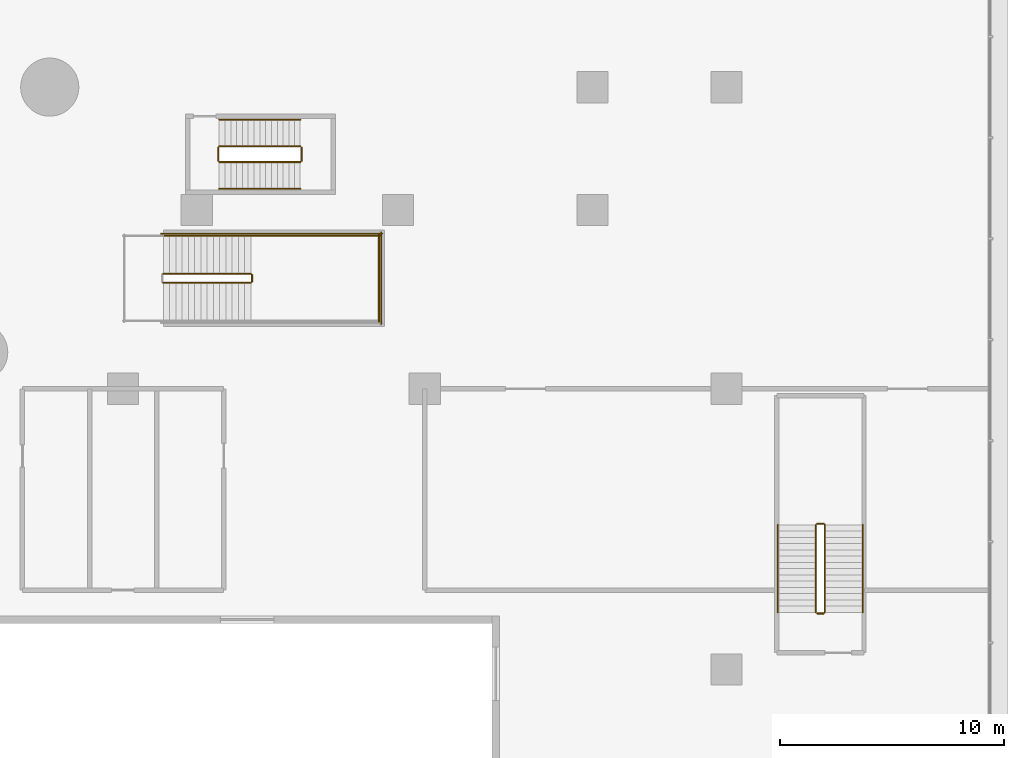
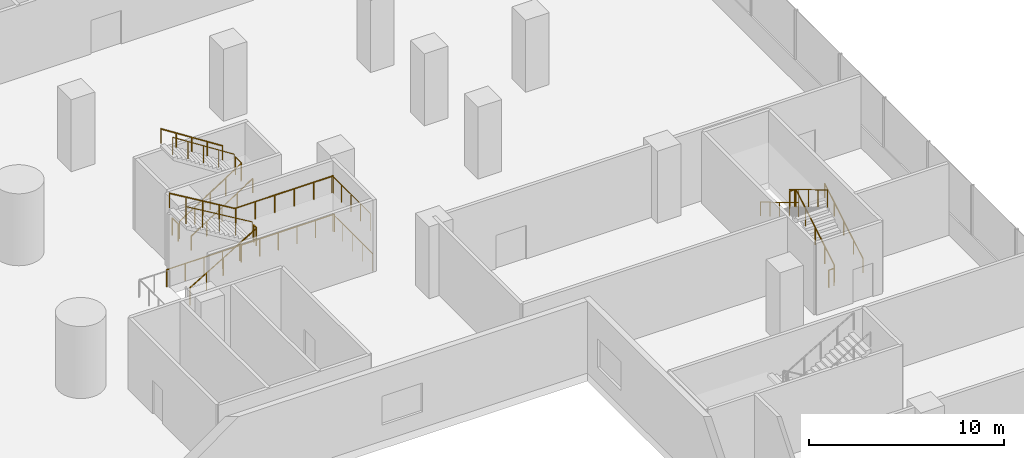
# One storey, part 40 of 44: 20 railings.
"""IFC4 building model written with IfcOpenShell, lengths in metres."""

from ifc_helpers import new_model, si_unit, direction, frame, origin, origin_2d, place, context, subcontext, project, spatial, circle, extrude, material, type_object, element, save


model = new_model("IFC4")

# Units and contexts
model_context = context("Model", 3, precision=1e-05, world=origin(), true_north=direction((0.0, 1.0)))
body_context = subcontext(model_context, "Body", "Model", "MODEL_VIEW")
ifc_project = project(units=[si_unit("LENGTHUNIT", "METRE"), si_unit("AREAUNIT", "SQUARE_METRE"), si_unit("VOLUMEUNIT", "CUBIC_METRE"), si_unit("PLANEANGLEUNIT", "RADIAN"), si_unit("MASSUNIT", "GRAM", prefix="KILO")], contexts=[model_context])

# Site, building, storey
site_placement = place(None, origin())
site = spatial("IfcSite", under=ifc_project, at=site_placement, CompositionType="ELEMENT")
building_placement = place(site_placement, origin())
building = spatial("IfcBuilding", under=site, at=building_placement, Name="Tamarind Cross Interchange Tower", CompositionType="ELEMENT")
storey_placement = place(building_placement, frame((0.0, 0.0, 15.0)))
storey = spatial("IfcBuildingStorey", under=building, at=storey_placement, Name="L02", CompositionType="ELEMENT", Elevation=15.0)

# Railings
ifc_material_1 = material(Name="Public stair guard")
railing_type_1 = type_object("IfcRailingType", Name="Public stair guard", PredefinedType="GUARDRAIL", material=ifc_material_1)
railing_1_placement = place(storey_placement, frame((28.800048828125, -8.75, 0.166748046875)))
element("IfcRailing", 1, at=railing_1_placement, inside=storey, type_object=railing_type_1, Name="L02 PS-E stair guard 1", PredefinedType="GUARDRAIL", context=body_context, shape_type="SweptSolid", body=[
    extrude(circle(Radius=0.02392578125, at=origin_2d()), frame((0.0, 0.0, 1.076171875), z_axis=(0.859296244711, 0.0, 0.511478214419), x_axis=(0.0, 1.0, 0.0)), (0.0, 0.0, 1.0), 4.561767578125),
    extrude(circle(Radius=0.02099609375, at=origin_2d()), origin(), (0.0, 0.0, 1.0), 1.052001953125),
    extrude(circle(Radius=0.02099609375, at=origin_2d()), frame((0.97998046875, 0.0, 0.583251953125)), (0.0, 0.0, 1.0), 1.052001953125),
    extrude(circle(Radius=0.02099609375, at=origin_2d()), frame((1.9599609375, 0.0, 1.16650390625)), (0.0, 0.0, 1.0), 1.052001953125),
    extrude(circle(Radius=0.02099609375, at=origin_2d()), frame((2.93994140625, 0.0, 1.75)), (0.0, 0.0, 1.0), 1.052001953125),
    extrude(circle(Radius=0.02099609375, at=origin_2d()), frame((3.919921875, 0.0, 2.333251953125)), (0.0, 0.0, 1.0), 1.052001953125),
])
railing_2_placement = place(storey_placement, frame((32.77001953125, -8.699951171875, 2.5)))
element("IfcRailing", 2, at=railing_2_placement, inside=storey, type_object=railing_type_1, Name="L02 PS-E stair guard 2", PredefinedType="GUARDRAIL", context=body_context, shape_type="SweptSolid", body=[
    extrude(circle(Radius=0.02392578125, at=origin_2d()), frame((0.0, 0.0, 1.076171875), z_axis=(0.0, 1.0, 0.0), x_axis=(-1.0, 0.0, 0.0)), (0.0, 0.0, 1.0), 0.300048828125),
    extrude(circle(Radius=0.02099609375, at=origin_2d()), origin(), (0.0, 0.0, 1.0), 1.052001953125),
    extrude(circle(Radius=0.02099609375, at=origin_2d()), frame((0.0, 0.300048828125, 0.0)), (0.0, 0.0, 1.0), 1.052001953125),
])
railing_3_placement = place(storey_placement, frame((32.719970703125, -6.64990234375, 2.5)))
element("IfcRailing", 3, at=railing_3_placement, inside=storey, type_object=railing_type_1, Name="L02 PS-E stair guard 4", PredefinedType="GUARDRAIL", context=body_context, shape_type="SweptSolid", body=[
    extrude(circle(Radius=0.02392578125, at=origin_2d()), frame((0.0, 0.0, 1.076171875), z_axis=(1.0, 0.0, 0.0), x_axis=(0.0, 1.0, 0.0)), (0.0, 0.0, 1.0), 5.780029296875),
    extrude(circle(Radius=0.02099609375, at=origin_2d()), origin(), (0.0, 0.0, 1.0), 1.052001953125),
    extrude(circle(Radius=0.02099609375, at=origin_2d()), frame((1.156005859375, 0.0, 0.0)), (0.0, 0.0, 1.0), 1.052001953125),
    extrude(circle(Radius=0.02099609375, at=origin_2d()), frame((2.31201171875, 0.0, 0.0)), (0.0, 0.0, 1.0), 1.052001953125),
    extrude(circle(Radius=0.02099609375, at=origin_2d()), frame((3.468017578125, 0.0, 0.0)), (0.0, 0.0, 1.0), 1.052001953125),
    extrude(circle(Radius=0.02099609375, at=origin_2d()), frame((4.6240234375, 0.0, 0.0)), (0.0, 0.0, 1.0), 1.052001953125),
    extrude(circle(Radius=0.02099609375, at=origin_2d()), frame((5.780029296875, 0.0, 0.0)), (0.0, 0.0, 1.0), 1.052001953125),
])
railing_4_placement = place(storey_placement, frame((38.449951171875, -10.5, 2.5)))
element("IfcRailing", 4, at=railing_4_placement, inside=storey, type_object=railing_type_1, Name="L02 PS-E stair guard 5", PredefinedType="GUARDRAIL", context=body_context, shape_type="SweptSolid", body=[
    extrude(circle(Radius=0.02392578125, at=origin_2d()), frame((0.0, 0.0, 1.076171875), z_axis=(0.0, 1.0, 0.0), x_axis=(-1.0, 0.0, 0.0)), (0.0, 0.0, 1.0), 3.89990234375),
    extrude(circle(Radius=0.02099609375, at=origin_2d()), origin(), (0.0, 0.0, 1.0), 1.052001953125),
    extrude(circle(Radius=0.02099609375, at=origin_2d()), frame((0.0, 0.97509765625, 0.0)), (0.0, 0.0, 1.0), 1.052001953125),
    extrude(circle(Radius=0.02099609375, at=origin_2d()), frame((0.0, 1.949951171875, 0.0)), (0.0, 0.0, 1.0), 1.052001953125),
    extrude(circle(Radius=0.02099609375, at=origin_2d()), frame((0.0, 2.9248046875, 0.0)), (0.0, 0.0, 1.0), 1.052001953125),
    extrude(circle(Radius=0.02099609375, at=origin_2d()), frame((0.0, 3.89990234375, 0.0)), (0.0, 0.0, 1.0), 1.052001953125),
])
railing_5_placement = place(storey_placement, frame((32.719970703125, -8.35009765625, 2.666748046875)))
element("IfcRailing", 5, at=railing_5_placement, inside=storey, type_object=railing_type_1, Name="L02 PS-E stair guard 6", PredefinedType="GUARDRAIL", context=body_context, shape_type="SweptSolid", body=[
    extrude(circle(Radius=0.02392578125, at=origin_2d()), frame((0.0, 0.0, 1.076171875), z_axis=(-0.859296244711, 0.0, 0.511478214419), x_axis=(0.0, -1.0, 0.0)), (0.0, 0.0, 1.0), 4.561767578125),
    extrude(circle(Radius=0.02099609375, at=origin_2d()), origin(), (0.0, 0.0, 1.0), 1.052001953125),
    extrude(circle(Radius=0.02099609375, at=origin_2d()), frame((-0.97998046875, 0.0, 0.583251953125)), (0.0, 0.0, 1.0), 1.052001953125),
    extrude(circle(Radius=0.02099609375, at=origin_2d()), frame((-1.9599609375, 0.0, 1.16650390625)), (0.0, 0.0, 1.0), 1.052001953125),
    extrude(circle(Radius=0.02099609375, at=origin_2d()), frame((-2.93994140625, 0.0, 1.75)), (0.0, 0.0, 1.0), 1.052001953125),
    extrude(circle(Radius=0.02099609375, at=origin_2d()), frame((-3.919921875, 0.0, 2.333251953125)), (0.0, 0.0, 1.0), 1.052001953125),
])
railing_6_placement = place(storey_placement, frame((28.699951171875, -6.550048828125, 0.0)))
element("IfcRailing", 6, at=railing_6_placement, inside=storey, type_object=railing_type_1, Name="L02 PS-E stair guard 12", PredefinedType="GUARDRAIL", context=body_context, shape_type="SweptSolid", body=[
    extrude(circle(Radius=0.02392578125, at=origin_2d()), frame((0.0, 0.0, 1.076171875), z_axis=(1.0, 0.0, 0.0), x_axis=(0.0, 1.0, 0.0)), (0.0, 0.0, 1.0), 9.900146484375),
    extrude(circle(Radius=0.02099609375, at=origin_2d()), origin(), (0.0, 0.0, 1.0), 1.052001953125),
    extrude(circle(Radius=0.02099609375, at=origin_2d()), frame((1.10009765625, 0.0, 0.0)), (0.0, 0.0, 1.0), 1.052001953125),
    extrude(circle(Radius=0.02099609375, at=origin_2d()), frame((2.199951171875, 0.0, 0.0)), (0.0, 0.0, 1.0), 1.052001953125),
    extrude(circle(Radius=0.02099609375, at=origin_2d()), frame((3.300048828125, 0.0, 0.0)), (0.0, 0.0, 1.0), 1.052001953125),
    extrude(circle(Radius=0.02099609375, at=origin_2d()), frame((4.400146484375, 0.0, 0.0)), (0.0, 0.0, 1.0), 1.052001953125),
    extrude(circle(Radius=0.02099609375, at=origin_2d()), frame((5.5, 0.0, 0.0)), (0.0, 0.0, 1.0), 1.052001953125),
    extrude(circle(Radius=0.02099609375, at=origin_2d()), frame((6.60009765625, 0.0, 0.0)), (0.0, 0.0, 1.0), 1.052001953125),
    extrude(circle(Radius=0.02099609375, at=origin_2d()), frame((7.7001953125, 0.0, 0.0)), (0.0, 0.0, 1.0), 1.052001953125),
    extrude(circle(Radius=0.02099609375, at=origin_2d()), frame((8.800048828125, 0.0, 0.0)), (0.0, 0.0, 1.0), 1.052001953125),
    extrude(circle(Radius=0.02099609375, at=origin_2d()), frame((9.900146484375, 0.0, 0.0)), (0.0, 0.0, 1.0), 1.052001953125),
])
railing_7_placement = place(storey_placement, frame((38.550048828125, -10.60009765625, 0.0)))
element("IfcRailing", 7, at=railing_7_placement, inside=storey, type_object=railing_type_1, Name="L02 PS-E stair guard 13", PredefinedType="GUARDRAIL", context=body_context, shape_type="SweptSolid", body=[
    extrude(circle(Radius=0.02392578125, at=origin_2d()), frame((0.0, 0.0, 1.076171875), z_axis=(0.0, 1.0, 0.0), x_axis=(-1.0, 0.0, 0.0)), (0.0, 0.0, 1.0), 4.10009765625),
    extrude(circle(Radius=0.02099609375, at=origin_2d()), origin(), (0.0, 0.0, 1.0), 1.052001953125),
    extrude(circle(Radius=0.02099609375, at=origin_2d()), frame((0.0, 1.02490234375, 0.0)), (0.0, 0.0, 1.0), 1.052001953125),
    extrude(circle(Radius=0.02099609375, at=origin_2d()), frame((0.0, 2.050048828125, 0.0)), (0.0, 0.0, 1.0), 1.052001953125),
    extrude(circle(Radius=0.02099609375, at=origin_2d()), frame((0.0, 3.0751953125, 0.0)), (0.0, 0.0, 1.0), 1.052001953125),
    extrude(circle(Radius=0.02099609375, at=origin_2d()), frame((0.0, 4.10009765625, 0.0)), (0.0, 0.0, 1.0), 1.052001953125),
])
railing_8_placement = place(storey_placement, frame((58.39990234375, -23.5, 0.166748046875)))
element("IfcRailing", 8, at=railing_8_placement, inside=storey, type_object=railing_type_1, Name="L02 XS-P11 stair guard 1", PredefinedType="GUARDRAIL", context=body_context, shape_type="SweptSolid", body=[
    extrude(circle(Radius=0.02392578125, at=origin_2d()), frame((0.0, 0.0, 1.076171875), z_axis=(0.0, 0.859296244711, 0.511478214419), x_axis=(-1.0, 0.0, 0.0)), (0.0, 0.0, 1.0), 4.561767578125),
    extrude(circle(Radius=0.02099609375, at=origin_2d()), origin(), (0.0, 0.0, 1.0), 1.052001953125),
    extrude(circle(Radius=0.02099609375, at=origin_2d()), frame((0.0, 0.97998046875, 0.583251953125)), (0.0, 0.0, 1.0), 1.052001953125),
    extrude(circle(Radius=0.02099609375, at=origin_2d()), frame((0.0, 1.9599609375, 1.16650390625)), (0.0, 0.0, 1.0), 1.052001953125),
    extrude(circle(Radius=0.02099609375, at=origin_2d()), frame((0.0, 2.93994140625, 1.75)), (0.0, 0.0, 1.0), 1.052001953125),
    extrude(circle(Radius=0.02099609375, at=origin_2d()), frame((0.0, 3.919921875, 2.333251953125)), (0.0, 0.0, 1.0), 1.052001953125),
])
railing_9_placement = place(storey_placement, frame((58.35009765625, -19.530029296875, 2.5)))
element("IfcRailing", 9, at=railing_9_placement, inside=storey, type_object=railing_type_1, Name="L02 XS-P11 stair guard 2", PredefinedType="GUARDRAIL", context=body_context, shape_type="SweptSolid", body=[
    extrude(circle(Radius=0.02392578125, at=origin_2d()), frame((0.0, 0.0, 1.076171875), z_axis=(-1.0, 0.0, 0.0), x_axis=(0.0, -1.0, 0.0)), (0.0, 0.0, 1.0), 0.300048828125),
    extrude(circle(Radius=0.02099609375, at=origin_2d()), origin(), (0.0, 0.0, 1.0), 1.052001953125),
    extrude(circle(Radius=0.02099609375, at=origin_2d()), frame((-0.300048828125, 0.0, 0.0)), (0.0, 0.0, 1.0), 1.052001953125),
])
railing_10_placement = place(storey_placement, frame((58.0, -19.580078125, 2.666748046875)))
element("IfcRailing", 10, at=railing_10_placement, inside=storey, type_object=railing_type_1, Name="L02 XS-P11 stair guard 3", PredefinedType="GUARDRAIL", context=body_context, shape_type="SweptSolid", body=[
    extrude(circle(Radius=0.02392578125, at=origin_2d()), frame((0.0, 0.0, 1.076171875), z_axis=(0.0, -0.859296244711, 0.511478214419), x_axis=(1.0, 0.0, 0.0)), (0.0, 0.0, 1.0), 4.561767578125),
    extrude(circle(Radius=0.02099609375, at=origin_2d()), origin(), (0.0, 0.0, 1.0), 1.052001953125),
    extrude(circle(Radius=0.02099609375, at=origin_2d()), frame((0.0, -0.97998046875, 0.583251953125)), (0.0, 0.0, 1.0), 1.052001953125),
    extrude(circle(Radius=0.02099609375, at=origin_2d()), frame((0.0, -1.9599609375, 1.16650390625)), (0.0, 0.0, 1.0), 1.052001953125),
    extrude(circle(Radius=0.02099609375, at=origin_2d()), frame((0.0, -2.93994140625, 1.75)), (0.0, 0.0, 1.0), 1.052001953125),
    extrude(circle(Radius=0.02099609375, at=origin_2d()), frame((0.0, -3.919921875, 2.333251953125)), (0.0, 0.0, 1.0), 1.052001953125),
])
railing_11_placement = place(storey_placement, frame((58.35009765625, -23.550048828125, 0.0)))
element("IfcRailing", 11, at=railing_11_placement, inside=storey, type_object=railing_type_1, Name="L02 XS-P11 stair guard 4", PredefinedType="GUARDRAIL", context=body_context, shape_type="SweptSolid", body=[
    extrude(circle(Radius=0.02392578125, at=origin_2d()), frame((0.0, 0.0, 1.076171875), z_axis=(-1.0, 0.0, 0.0), x_axis=(0.0, -1.0, 0.0)), (0.0, 0.0, 1.0), 0.300048828125),
    extrude(circle(Radius=0.02099609375, at=origin_2d()), origin(), (0.0, 0.0, 1.0), 1.052001953125),
    extrude(circle(Radius=0.02099609375, at=origin_2d()), frame((-0.300048828125, 0.0, 0.0)), (0.0, 0.0, 1.0), 1.052001953125),
])
ifc_material_2 = material(Name="Public stair handrail")
railing_type_2 = type_object("IfcRailingType", Name="Public stair handrail", PredefinedType="HANDRAIL", material=ifc_material_2)
railing_12_placement = place(storey_placement, frame((32.719970703125, -6.64990234375, 2.666748046875)))
element("IfcRailing", 12, at=railing_12_placement, inside=storey, type_object=railing_type_2, Name="L02 PS-E stair handrail 2", PredefinedType="HANDRAIL", context=body_context, shape_type="SweptSolid", body=[
    extrude(circle(Radius=0.02392578125, at=origin_2d()), frame((0.0, 0.0, 0.8759765625), z_axis=(-0.859296244711, 0.0, 0.511478214419), x_axis=(0.0, -1.0, 0.0)), (0.0, 0.0, 1.0), 4.561767578125),
    extrude(circle(Radius=0.02099609375, at=origin_2d()), origin(), (0.0, 0.0, 1.0), 0.851806640625),
    extrude(circle(Radius=0.02099609375, at=origin_2d()), frame((-0.97998046875, 0.0, 0.583251953125)), (0.0, 0.0, 1.0), 0.851806640625),
    extrude(circle(Radius=0.02099609375, at=origin_2d()), frame((-1.9599609375, 0.0, 1.16650390625)), (0.0, 0.0, 1.0), 0.851806640625),
    extrude(circle(Radius=0.02099609375, at=origin_2d()), frame((-2.93994140625, 0.0, 1.75)), (0.0, 0.0, 1.0), 0.851806640625),
    extrude(circle(Radius=0.02099609375, at=origin_2d()), frame((-3.919921875, 0.0, 2.333251953125)), (0.0, 0.0, 1.0), 0.851806640625),
])
railing_13_placement = place(storey_placement, frame((60.10009765625, -23.5, 0.166748046875)))
element("IfcRailing", 13, at=railing_13_placement, inside=storey, type_object=railing_type_2, Name="L02 XS-P11 stair handrail 1", PredefinedType="HANDRAIL", context=body_context, shape_type="SweptSolid", body=[
    extrude(circle(Radius=0.02392578125, at=origin_2d()), frame((0.0, 0.0, 0.8759765625), z_axis=(0.0, 0.859296244711, 0.511478214419), x_axis=(-1.0, 0.0, 0.0)), (0.0, 0.0, 1.0), 4.561767578125),
    extrude(circle(Radius=0.02099609375, at=origin_2d()), origin(), (0.0, 0.0, 1.0), 0.851806640625),
    extrude(circle(Radius=0.02099609375, at=origin_2d()), frame((0.0, 0.97998046875, 0.583251953125)), (0.0, 0.0, 1.0), 0.851806640625),
    extrude(circle(Radius=0.02099609375, at=origin_2d()), frame((0.0, 1.9599609375, 1.16650390625)), (0.0, 0.0, 1.0), 0.851806640625),
    extrude(circle(Radius=0.02099609375, at=origin_2d()), frame((0.0, 2.93994140625, 1.75)), (0.0, 0.0, 1.0), 0.851806640625),
    extrude(circle(Radius=0.02099609375, at=origin_2d()), frame((0.0, 3.919921875, 2.333251953125)), (0.0, 0.0, 1.0), 0.851806640625),
])
railing_14_placement = place(storey_placement, frame((56.300048828125, -19.580078125, 2.666748046875)))
element("IfcRailing", 14, at=railing_14_placement, inside=storey, type_object=railing_type_2, Name="L02 XS-P11 stair handrail 2", PredefinedType="HANDRAIL", context=body_context, shape_type="SweptSolid", body=[
    extrude(circle(Radius=0.02392578125, at=origin_2d()), frame((0.0, 0.0, 0.8759765625), z_axis=(0.0, -0.859296244711, 0.511478214419), x_axis=(1.0, 0.0, 0.0)), (0.0, 0.0, 1.0), 4.561767578125),
    extrude(circle(Radius=0.02099609375, at=origin_2d()), origin(), (0.0, 0.0, 1.0), 0.851806640625),
    extrude(circle(Radius=0.02099609375, at=origin_2d()), frame((0.0, -0.97998046875, 0.583251953125)), (0.0, 0.0, 1.0), 0.851806640625),
    extrude(circle(Radius=0.02099609375, at=origin_2d()), frame((0.0, -1.9599609375, 1.16650390625)), (0.0, 0.0, 1.0), 0.851806640625),
    extrude(circle(Radius=0.02099609375, at=origin_2d()), frame((0.0, -2.93994140625, 1.75)), (0.0, 0.0, 1.0), 0.851806640625),
    extrude(circle(Radius=0.02099609375, at=origin_2d()), frame((0.0, -3.919921875, 2.333251953125)), (0.0, 0.0, 1.0), 0.851806640625),
])
ifc_material_3 = material(Name="Stair guard")
railing_type_3 = type_object("IfcRailingType", Name="Stair guard", PredefinedType="GUARDRAIL", material=ifc_material_3)
railing_15_placement = place(storey_placement, frame((31.300048828125, -3.35009765625, 0.166748046875)))
element("IfcRailing", 15, at=railing_15_placement, inside=storey, type_object=railing_type_3, Name="L02 ST3 stair guard 1", PredefinedType="GUARDRAIL", context=body_context, shape_type="SweptSolid", body=[
    extrude(circle(Radius=0.02392578125, at=origin_2d()), frame((0.0, 0.0, 1.076171875), z_axis=(0.841880454617, 0.0, 0.539664062296), x_axis=(0.0, 1.0, 0.0)), (0.0, 0.0, 1.0), 4.323486328125),
    extrude(circle(Radius=0.02099609375, at=origin_2d()), origin(), (0.0, 0.0, 1.0), 1.052001953125),
    extrude(circle(Radius=0.02099609375, at=origin_2d()), frame((0.909912109375, 0.0, 0.583251953125)), (0.0, 0.0, 1.0), 1.052001953125),
    extrude(circle(Radius=0.02099609375, at=origin_2d()), frame((1.81982421875, 0.0, 1.16650390625)), (0.0, 0.0, 1.0), 1.052001953125),
    extrude(circle(Radius=0.02099609375, at=origin_2d()), frame((2.72998046875, 0.0, 1.75)), (0.0, 0.0, 1.0), 1.052001953125),
    extrude(circle(Radius=0.02099609375, at=origin_2d()), frame((3.639892578125, 0.0, 2.333251953125)), (0.0, 0.0, 1.0), 1.052001953125),
])
railing_16_placement = place(storey_placement, frame((34.989990234375, -3.300048828125, 2.5)))
element("IfcRailing", 16, at=railing_16_placement, inside=storey, type_object=railing_type_3, Name="L02 ST3 stair guard 2", PredefinedType="GUARDRAIL", context=body_context, shape_type="SweptSolid", body=[
    extrude(circle(Radius=0.02392578125, at=origin_2d()), frame((0.0, 0.0, 1.076171875), z_axis=(0.0, 1.0, 0.0), x_axis=(-1.0, 0.0, 0.0)), (0.0, 0.0, 1.0), 0.60009765625),
    extrude(circle(Radius=0.02099609375, at=origin_2d()), origin(), (0.0, 0.0, 1.0), 1.052001953125),
    extrude(circle(Radius=0.02099609375, at=origin_2d()), frame((0.0, 0.60009765625, 0.0)), (0.0, 0.0, 1.0), 1.052001953125),
])
railing_17_placement = place(storey_placement, frame((34.93994140625, -2.64990234375, 2.666748046875)))
element("IfcRailing", 17, at=railing_17_placement, inside=storey, type_object=railing_type_3, Name="L02 ST3 stair guard 3", PredefinedType="GUARDRAIL", context=body_context, shape_type="SweptSolid", body=[
    extrude(circle(Radius=0.02392578125, at=origin_2d()), frame((0.0, 0.0, 1.076171875), z_axis=(-0.841880454617, 0.0, 0.539664062296), x_axis=(0.0, -1.0, 0.0)), (0.0, 0.0, 1.0), 4.323486328125),
    extrude(circle(Radius=0.02099609375, at=origin_2d()), origin(), (0.0, 0.0, 1.0), 1.052001953125),
    extrude(circle(Radius=0.02099609375, at=origin_2d()), frame((-0.909912109375, 0.0, 0.583251953125)), (0.0, 0.0, 1.0), 1.052001953125),
    extrude(circle(Radius=0.02099609375, at=origin_2d()), frame((-1.81982421875, 0.0, 1.16650390625)), (0.0, 0.0, 1.0), 1.052001953125),
    extrude(circle(Radius=0.02099609375, at=origin_2d()), frame((-2.72998046875, 0.0, 1.75)), (0.0, 0.0, 1.0), 1.052001953125),
    extrude(circle(Radius=0.02099609375, at=origin_2d()), frame((-3.639892578125, 0.0, 2.333251953125)), (0.0, 0.0, 1.0), 1.052001953125),
])
railing_18_placement = place(storey_placement, frame((31.25, -3.300048828125, 0.0)))
element("IfcRailing", 18, at=railing_18_placement, inside=storey, type_object=railing_type_3, Name="L02 ST3 stair guard 4", PredefinedType="GUARDRAIL", context=body_context, shape_type="SweptSolid", body=[
    extrude(circle(Radius=0.02392578125, at=origin_2d()), frame((0.0, 0.0, 1.076171875), z_axis=(0.0, 1.0, 0.0), x_axis=(-1.0, 0.0, 0.0)), (0.0, 0.0, 1.0), 0.60009765625),
    extrude(circle(Radius=0.02099609375, at=origin_2d()), origin(), (0.0, 0.0, 1.0), 1.052001953125),
    extrude(circle(Radius=0.02099609375, at=origin_2d()), frame((0.0, 0.60009765625, 0.0)), (0.0, 0.0, 1.0), 1.052001953125),
])
ifc_material_4 = material(Name="Stair handrail")
railing_type_4 = type_object("IfcRailingType", Name="Stair handrail", PredefinedType="HANDRAIL", material=ifc_material_4)
railing_19_placement = place(storey_placement, frame((31.300048828125, -4.550048828125, 0.166748046875)))
element("IfcRailing", 19, at=railing_19_placement, inside=storey, type_object=railing_type_4, Name="L02 ST3 stair handrail 1", PredefinedType="HANDRAIL", context=body_context, shape_type="SweptSolid", body=[
    extrude(circle(Radius=0.02392578125, at=origin_2d()), frame((0.0, 0.0, 0.8759765625), z_axis=(0.841880454617, 0.0, 0.539664062296), x_axis=(0.0, 1.0, 0.0)), (0.0, 0.0, 1.0), 4.323486328125),
    extrude(circle(Radius=0.02099609375, at=origin_2d()), origin(), (0.0, 0.0, 1.0), 0.851806640625),
    extrude(circle(Radius=0.02099609375, at=origin_2d()), frame((0.909912109375, 0.0, 0.583251953125)), (0.0, 0.0, 1.0), 0.851806640625),
    extrude(circle(Radius=0.02099609375, at=origin_2d()), frame((1.81982421875, 0.0, 1.16650390625)), (0.0, 0.0, 1.0), 0.851806640625),
    extrude(circle(Radius=0.02099609375, at=origin_2d()), frame((2.72998046875, 0.0, 1.75)), (0.0, 0.0, 1.0), 0.851806640625),
    extrude(circle(Radius=0.02099609375, at=origin_2d()), frame((3.639892578125, 0.0, 2.333251953125)), (0.0, 0.0, 1.0), 0.851806640625),
])
railing_20_placement = place(storey_placement, frame((34.93994140625, -1.449951171875, 2.666748046875)))
element("IfcRailing", 20, at=railing_20_placement, inside=storey, type_object=railing_type_4, Name="L02 ST3 stair handrail 2", PredefinedType="HANDRAIL", context=body_context, shape_type="SweptSolid", body=[
    extrude(circle(Radius=0.02392578125, at=origin_2d()), frame((0.0, 0.0, 0.8759765625), z_axis=(-0.841880454617, 0.0, 0.539664062296), x_axis=(0.0, -1.0, 0.0)), (0.0, 0.0, 1.0), 4.323486328125),
    extrude(circle(Radius=0.02099609375, at=origin_2d()), origin(), (0.0, 0.0, 1.0), 0.851806640625),
    extrude(circle(Radius=0.02099609375, at=origin_2d()), frame((-0.909912109375, 0.0, 0.583251953125)), (0.0, 0.0, 1.0), 0.851806640625),
    extrude(circle(Radius=0.02099609375, at=origin_2d()), frame((-1.81982421875, 0.0, 1.16650390625)), (0.0, 0.0, 1.0), 0.851806640625),
    extrude(circle(Radius=0.02099609375, at=origin_2d()), frame((-2.72998046875, 0.0, 1.75)), (0.0, 0.0, 1.0), 0.851806640625),
    extrude(circle(Radius=0.02099609375, at=origin_2d()), frame((-3.639892578125, 0.0, 2.333251953125)), (0.0, 0.0, 1.0), 0.851806640625),
])

save(model, "model.ifc")
